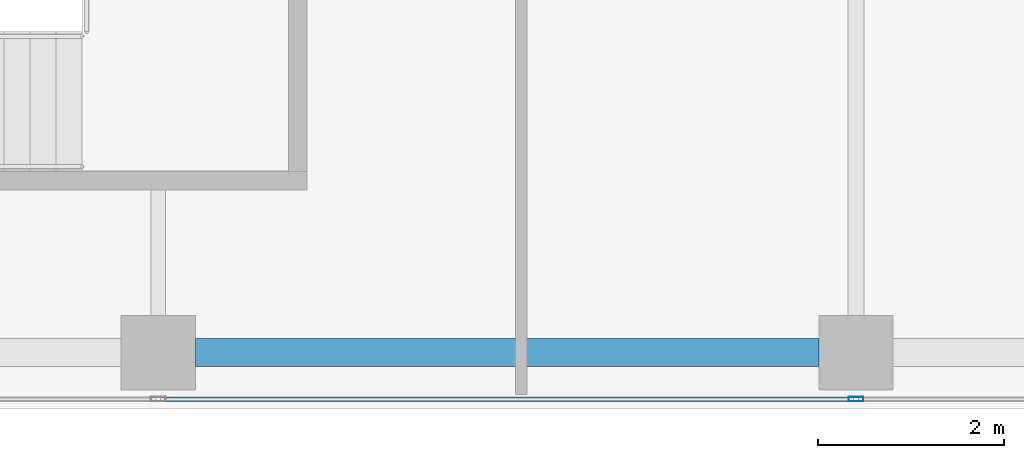
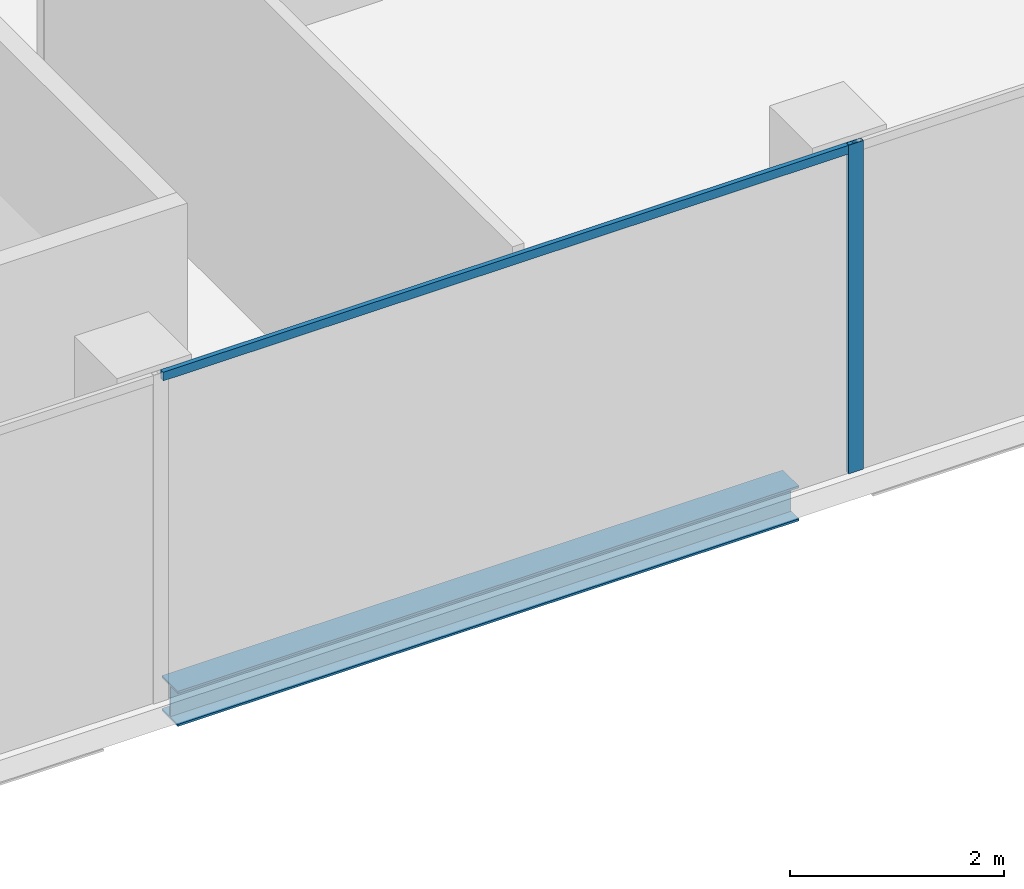
# One storey, part 5 of 29: 2 members, 1 beam, 1 element without a shape of its own.
"""IFC4 building model written with IfcOpenShell, lengths in metres."""

import ifcopenshell
import ifcopenshell.guid

model = None  # the IFC model being written
_history = None  # IfcOwnerHistory: only IFC2X3 demands one
_inside = {}  # id of a spatial element -> (the spatial element, [elements in it])
_under = {}  # id of a project, library or spatial element -> (it, [spatial elements below it])
_declared = {}  # id of a project -> (the project, [libraries it declares])
_typed = {}  # id of a type object -> (the type object, [elements of that type])
_made_of = {}  # id of a material, layer set ... -> (it, [elements and type objects made of it])


def new_model(schema):
    """Start an empty IFC model of exactly this schema.

    Asked for "IFC4X3", IfcOpenShell would pick the latest addendum, in which some entities
    have other attributes; the version numbers below select the first issue.
    IFC2X3 requires an IfcOwnerHistory on every rooted entity: one is made here for all.
    """
    global model, _history
    if schema == "IFC4X3":
        model = ifcopenshell.file(schema_version=(4, 3, 0, 0))
    else:
        model = ifcopenshell.file(schema=schema)
    _inside.clear()
    _under.clear()
    _declared.clear()
    _typed.clear()
    _made_of.clear()
    _history = None
    if model.schema == "IFC2X3":
        org = make("IfcOrganization", Name="unknown")
        user = make(
            "IfcPersonAndOrganization",
            ThePerson=make("IfcPerson", FamilyName="unknown"),
            TheOrganization=org,
        )
        app = make(
            "IfcApplication",
            ApplicationDeveloper=org,
            Version="unknown",
            ApplicationFullName="unknown",
            ApplicationIdentifier="unknown",
        )
        _history = make(
            "IfcOwnerHistory",
            OwningUser=user,
            OwningApplication=app,
            ChangeAction="ADDED",
            CreationDate=0,
        )
    return model


def make(cls, **values):
    """One entity of the class cls with the attributes given. An attribute that is None is left unset."""
    return model.create_entity(
        cls, **{name: value for name, value in values.items() if value is not None}
    )


def rooted(cls, **values):
    """An entity with a GlobalId (a new one), such as an element, a storey or a relation."""
    return make(cls, GlobalId=ifcopenshell.guid.new(), OwnerHistory=_history, **values)


def si_unit(unit_type, name, prefix=None):
    """IfcSIUnit, for example si_unit("LENGTHUNIT", "METRE", prefix="MILLI")."""
    return make("IfcSIUnit", UnitType=unit_type, Prefix=prefix, Name=name)


def assignment(units):
    """IfcUnitAssignment: the units of a project."""
    return None if units is None else make("IfcUnitAssignment", Units=units)


def point(xyz):
    """IfcCartesianPoint."""
    return None if xyz is None else make("IfcCartesianPoint", Coordinates=xyz)


def direction(xyz):
    """IfcDirection."""
    return None if xyz is None else make("IfcDirection", DirectionRatios=xyz)


def frame(location, z_axis=None, x_axis=None):
    """IfcAxis2Placement3D, a coordinate frame: its origin and axes. An axis left out is left unset."""
    return make(
        "IfcAxis2Placement3D",
        Location=point(location),
        Axis=direction(z_axis),
        RefDirection=direction(x_axis),
    )


def frame_2d(location, x_axis=None):
    """IfcAxis2Placement2D, a coordinate frame in the plane: its origin and x axis."""
    return make(
        "IfcAxis2Placement2D", Location=point(location), RefDirection=direction(x_axis)
    )


def origin():
    """The frame at (0, 0, 0) with its axes left unset."""
    return frame((0.0, 0.0, 0.0))


def origin_2d():
    """The frame at (0, 0) in the plane with its x axis left unset."""
    return frame_2d((0.0, 0.0))


def place(relative_to, where):
    """IfcLocalPlacement: puts the frame where relative to a parent placement (None: the world)."""
    return make(
        "IfcLocalPlacement", PlacementRelTo=relative_to, RelativePlacement=where
    )


def context(
    kind, dimensions, precision=None, world=None, true_north=None, identifier=None
):
    """IfcGeometricRepresentationContext, for example the 3D "Model" context."""
    return make(
        "IfcGeometricRepresentationContext",
        ContextIdentifier=identifier,
        ContextType=kind,
        CoordinateSpaceDimension=dimensions,
        Precision=precision,
        WorldCoordinateSystem=world,
        TrueNorth=true_north,
    )


def subcontext(parent, identifier, kind, view, scale=None):
    """IfcGeometricRepresentationSubContext, for example "Body" below "Model"."""
    return make(
        "IfcGeometricRepresentationSubContext",
        ContextIdentifier=identifier,
        ContextType=kind,
        ParentContext=parent,
        TargetScale=scale,
        TargetView=view,
    )


def project(units=None, contexts=None):
    """IfcProject with its units and contexts."""
    return rooted(
        "IfcProject",
        Name="project",
        RepresentationContexts=contexts,
        UnitsInContext=assignment(units),
    )


def spatial(cls, under=None, at=None, **own):
    """A site, building, storey or space (cls), placed at a placement, below another one or the project."""
    s = rooted(cls, ObjectPlacement=at, **own)
    if under is not None:
        _under.setdefault(under.id(), (under, []))[1].append(s)
    return s


def profile(cls, at=None, kind="AREA", **sizes):
    """A parametric profile (cls). Its sizes go by their IFC names, for example OverallWidth=200.0."""
    return make(cls, ProfileType=kind, Position=at, **sizes)


def hollow_rectangle(**sizes):
    """IfcRectangleHollowProfileDef."""
    return profile("IfcRectangleHollowProfileDef", **sizes)


def i_section(**sizes):
    """IfcIShapeProfileDef."""
    return profile("IfcIShapeProfileDef", **sizes)


def extrude(swept, where, along, depth):
    """IfcExtrudedAreaSolid: the profile swept, set in the frame where, extruded along a direction by depth."""
    return make(
        "IfcExtrudedAreaSolid",
        SweptArea=swept,
        Position=where,
        ExtrudedDirection=direction(along),
        Depth=depth,
    )


def shape(context_of_items, identifier, shape_type, items):
    """IfcShapeRepresentation: the items that make up one representation, for example the "Body"."""
    return make(
        "IfcShapeRepresentation",
        ContextOfItems=context_of_items,
        RepresentationIdentifier=identifier,
        RepresentationType=shape_type,
        Items=items,
    )


def source(mapping_origin, context_of_items, identifier, shape_type, items):
    """IfcRepresentationMap: a shape defined once, which mapped items show again and again."""
    return make(
        "IfcRepresentationMap",
        MappingOrigin=mapping_origin,
        MappedRepresentation=shape(context_of_items, identifier, shape_type, items),
    )


def transform(
    local_origin,
    x_axis=None,
    y_axis=None,
    z_axis=None,
    scale=None,
    scale2=None,
    scale3=None,
    uniform=True,
):
    """IfcCartesianTransformationOperator3D, or its non-uniform kind. x_axis, y_axis, z_axis: its Axis1, 2, 3."""
    if uniform:
        return make(
            "IfcCartesianTransformationOperator3D",
            Axis1=direction(x_axis),
            Axis2=direction(y_axis),
            LocalOrigin=point(local_origin),
            Scale=scale,
            Axis3=direction(z_axis),
        )
    return make(
        "IfcCartesianTransformationOperator3DnonUniform",
        Axis1=direction(x_axis),
        Axis2=direction(y_axis),
        LocalOrigin=point(local_origin),
        Scale=scale,
        Axis3=direction(z_axis),
        Scale2=scale2,
        Scale3=scale3,
    )


def mapped(mapping_source, mapping_target):
    """IfcMappedItem: shows the shape of a source again, moved by a transform."""
    return make(
        "IfcMappedItem", MappingSource=mapping_source, MappingTarget=mapping_target
    )


def material(Name=None, Category=None):
    """IfcMaterial."""
    return make("IfcMaterial", Name=Name, Category=Category)


def material_profile(
    of_material, cross_section, Name=None, Category=None, Priority=None
):
    """IfcMaterialProfile: a cross section and its material."""
    return make(
        "IfcMaterialProfile",
        Name=Name,
        Material=of_material,
        Profile=cross_section,
        Priority=Priority,
        Category=Category,
    )


def profile_set(profiles, Name=None, composite=None):
    """IfcMaterialProfileSet."""
    return make(
        "IfcMaterialProfileSet",
        Name=Name,
        MaterialProfiles=profiles,
        CompositeProfile=composite,
    )


def made_of(thing, what):
    """Note that an element or type object is made of a material, layer set ...; save() writes the relation."""
    if what is not None:
        _made_of.setdefault(what.id(), (what, []))[1].append(thing)
    return thing


def type_object(cls, material=None, **own):
    """A type object (cls), such as IfcWallType, which elements share."""
    return made_of(rooted(cls, **own), material)


def element(
    cls,
    number,
    at=None,
    inside=None,
    cuts=None,
    type_object=None,
    material=None,
    context=None,
    identifier="Body",
    shape_type=None,
    held_by="IfcProductDefinitionShape",
    body=None,
    shapes=None,
    **own,
):
    """One element of the class cls, such as IfcWall. Its Tag is "e" and its number.

    at: its placement. inside: the storey or other place that contains it. cuts: it is an
    opening in that element (IfcRelVoidsElement). A single representation is given by context,
    identifier, shape_type and body (its items); several are given by shapes. held_by: the class
    of the entity that holds the representations. save() writes the other relations.
    """
    e = rooted(cls, Tag="e%d" % number, ObjectPlacement=at, **own)
    if body is not None:
        shapes = [shape(context, identifier, shape_type, body)]
    if shapes is not None:
        e.Representation = make(held_by, Representations=shapes)
    if inside is not None:
        _inside.setdefault(inside.id(), (inside, []))[1].append(e)
    if cuts is not None:
        rooted(
            "IfcRelVoidsElement", RelatingBuildingElement=cuts, RelatedOpeningElement=e
        )
    if type_object is not None:
        _typed.setdefault(type_object.id(), (type_object, []))[1].append(e)
    return made_of(e, material)


def aggregate(whole, parts):
    """IfcRelAggregates: a whole, such as a stair, and the parts it consists of."""
    return rooted("IfcRelAggregates", RelatingObject=whole, RelatedObjects=parts)


def save(model, path):
    """Write the relations noted so far, then the file.

    IfcRelAggregates (storeys below a building ...), IfcRelContainedInSpatialStructure (elements
    in a storey), IfcRelDefinesByType, IfcRelAssociatesMaterial and IfcRelDeclares: one each for
    every whole, place, type object, material and project.
    """
    for whole, parts in _under.values():
        aggregate(whole, parts)
    for where, things in _inside.values():
        rooted(
            "IfcRelContainedInSpatialStructure",
            RelatedElements=things,
            RelatingStructure=where,
        )
    for kind, things in _typed.values():
        rooted("IfcRelDefinesByType", RelatedObjects=things, RelatingType=kind)
    for what, things in _made_of.values():
        rooted("IfcRelAssociatesMaterial", RelatedObjects=things, RelatingMaterial=what)
    for by, libraries in _declared.values():
        rooted("IfcRelDeclares", RelatingContext=by, RelatedDefinitions=libraries)
    model.write(path)


model = new_model("IFC4")

# Units and contexts
model_context = context("Model", 3, precision=1e-05, world=origin(), true_north=direction((0.0, 1.0)))
body_context = subcontext(model_context, "Body", "Model", "MODEL_VIEW")
ifc_project = project(units=[si_unit("LENGTHUNIT", "METRE"), si_unit("AREAUNIT", "SQUARE_METRE"), si_unit("VOLUMEUNIT", "CUBIC_METRE"), si_unit("PLANEANGLEUNIT", "RADIAN"), si_unit("MASSUNIT", "GRAM", prefix="KILO")], contexts=[model_context])

# Site, building, storey
site_placement = place(None, origin())
site = spatial("IfcSite", under=ifc_project, at=site_placement, CompositionType="ELEMENT")
building_placement = place(site_placement, origin())
building = spatial("IfcBuilding", under=site, at=building_placement, Name="Khomas Fold Tower", CompositionType="ELEMENT")
storey_placement = place(building_placement, frame((0.0, 0.0, 310.199951171875)))
storey = spatial("IfcBuildingStorey", under=building, at=storey_placement, Name="L70", CompositionType="ELEMENT", Elevation=310.199951171875)

# Beam
ifc_material_1 = material(Name="Steel S355", Category="steel")
ifc_material_profile_1 = material_profile(ifc_material_1, i_section(OverallWidth=0.300048828125, OverallDepth=0.39990234375, WebThickness=0.013427734375, FlangeThickness=0.02392578125, at=origin_2d()), Name="HE 400 B")
ifc_profile_set_1 = profile_set([ifc_material_profile_1], Name="Steel S355")
beam_type = type_object("IfcBeamType", Name="HE 400 B spandrel SB5", PredefinedType="SPANDREL", material=ifc_profile_set_1)
shared_shape_1 = source(origin(), body_context, "Body", "SweptSolid", [
    extrude(i_section(OverallWidth=0.300048828125, OverallDepth=0.39990234375, WebThickness=0.013427734375, FlangeThickness=0.02392578125, at=origin_2d()), origin(), (0.0, 0.0, 1.0), 6.7001953125),
])
beam_placement = place(storey_placement, frame((19.89990234375, 6.60009765625, -0.449951171875), z_axis=(1.0, 0.0, 0.0), x_axis=(0.0, 1.0, 0.0)))
element("IfcBeam", 1, at=beam_placement, inside=storey, type_object=beam_type, Name="SB5", PredefinedType="SPANDREL", context=body_context, shape_type="MappedRepresentation", body=[
    mapped(shared_shape_1, transform((0.0, 0.0, 0.0))),
])

# Curtain wall, members
ifc_material_2 = material(Name="Aluminium framed double glazing", Category="aluminium")
curtain_wall_type = type_object("IfcCurtainWallType", Name="SK-Unitised clear-glass wall, upper floors CW3", PredefinedType="NOTDEFINED", material=ifc_material_2)
curtain_wall_placement = place(storey_placement, origin())
curtain_wall = element("IfcCurtainWall", 2, at=curtain_wall_placement, inside=storey, type_object=curtain_wall_type, Name="CW3 run L70 00-0", PredefinedType="NOTDEFINED")
ifc_material_3 = material(Name="Aluminium", Category="aluminium")
ifc_material_profile_2 = material_profile(ifc_material_3, hollow_rectangle(XDim=0.050048828125, YDim=0.159912109375, WallThickness=0.00390625, at=origin_2d()), Name="SK-Unitised clear-glass wall, upper floors mullion CW3-M")
ifc_profile_set_2 = profile_set([ifc_material_profile_2], Name="Aluminium")
member_type_1 = type_object("IfcMemberType", Name="SK-Unitised clear-glass wall, upper floors mullion CW3-M", PredefinedType="MULLION", material=ifc_profile_set_2)
shared_shape_2 = source(origin(), body_context, "Body", "SweptSolid", [
    extrude(hollow_rectangle(XDim=0.050048828125, YDim=0.159912109375, WallThickness=0.00390625, at=origin_2d()), origin(), (0.0, 0.0, 1.0), 3.75),
])
member_1_placement = place(storey_placement, frame((27.0, 6.10009765625, 0.0), z_axis=(0.0, 0.0, 1.0), x_axis=(0.0, 1.0, 0.0)))
member_1 = element("IfcMember", 3, at=member_1_placement, type_object=member_type_1, Name="CW3 mullion 4", PredefinedType="MULLION", context=body_context, shape_type="MappedRepresentation", body=[
    mapped(shared_shape_2, transform((0.0, 0.0, 0.0))),
])
ifc_material_4 = material(Name="Aluminium", Category="aluminium")
ifc_material_profile_3 = material_profile(ifc_material_4, hollow_rectangle(XDim=0.050048828125, YDim=0.10009765625, WallThickness=0.00390625, at=origin_2d()), Name="SK-Unitised clear-glass wall, upper floors transom CW3-T")
ifc_profile_set_3 = profile_set([ifc_material_profile_3], Name="Aluminium")
member_type_2 = type_object("IfcMemberType", Name="SK-Unitised clear-glass wall, upper floors transom CW3-T", PredefinedType="USERDEFINED", material=ifc_profile_set_3)
shared_shape_3 = source(origin(), body_context, "Body", "SweptSolid", [
    extrude(hollow_rectangle(XDim=0.050048828125, YDim=0.10009765625, WallThickness=0.00390625, at=origin_2d()), origin(), (0.0, 0.0, 1.0), 7.4501953125),
])
member_2_placement = place(storey_placement, frame((19.52490234375, 6.10009765625, 3.699951171875), z_axis=(1.0, 0.0, 0.0), x_axis=(0.0, 1.0, 0.0)))
member_2 = element("IfcMember", 4, at=member_2_placement, type_object=member_type_2, Name="CW3 transom 3", ObjectType="TRANSOM", PredefinedType="USERDEFINED", context=body_context, shape_type="MappedRepresentation", body=[
    mapped(shared_shape_3, transform((0.0, 0.0, 0.0))),
])
aggregate(curtain_wall, [member_1, member_2])

save(model, "model.ifc")
